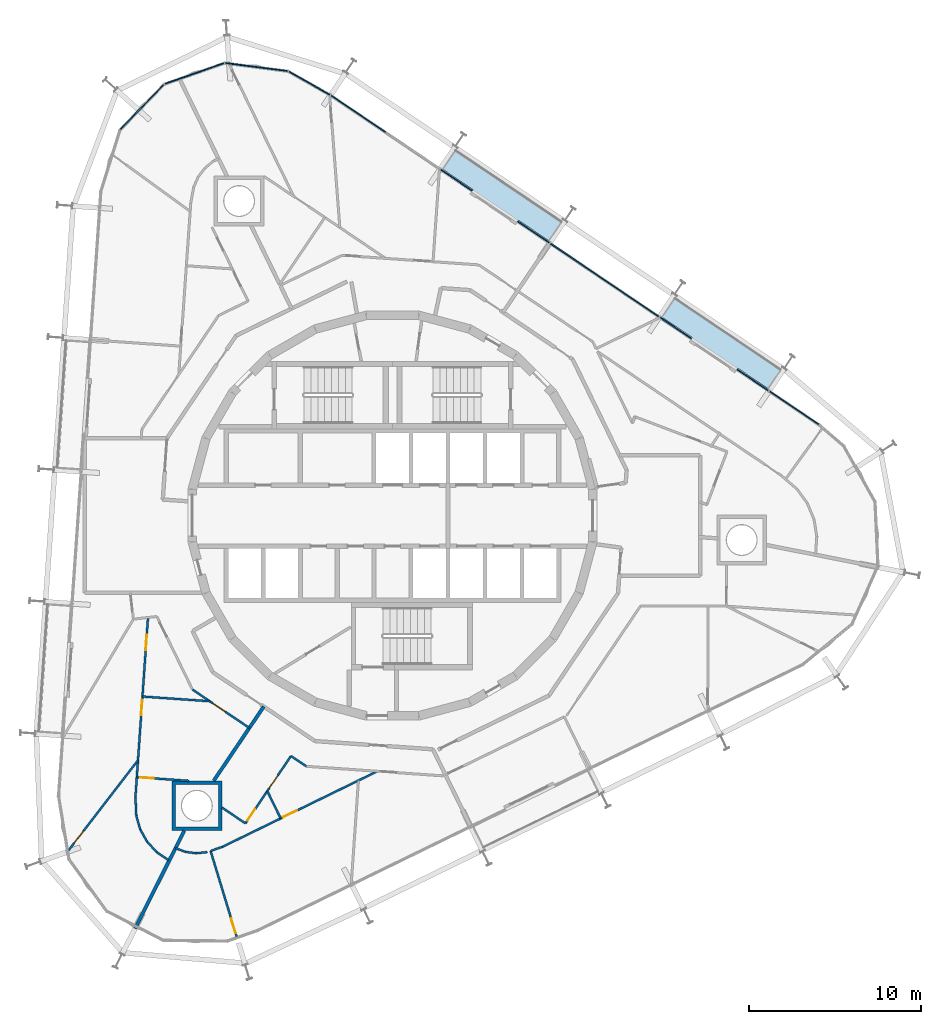
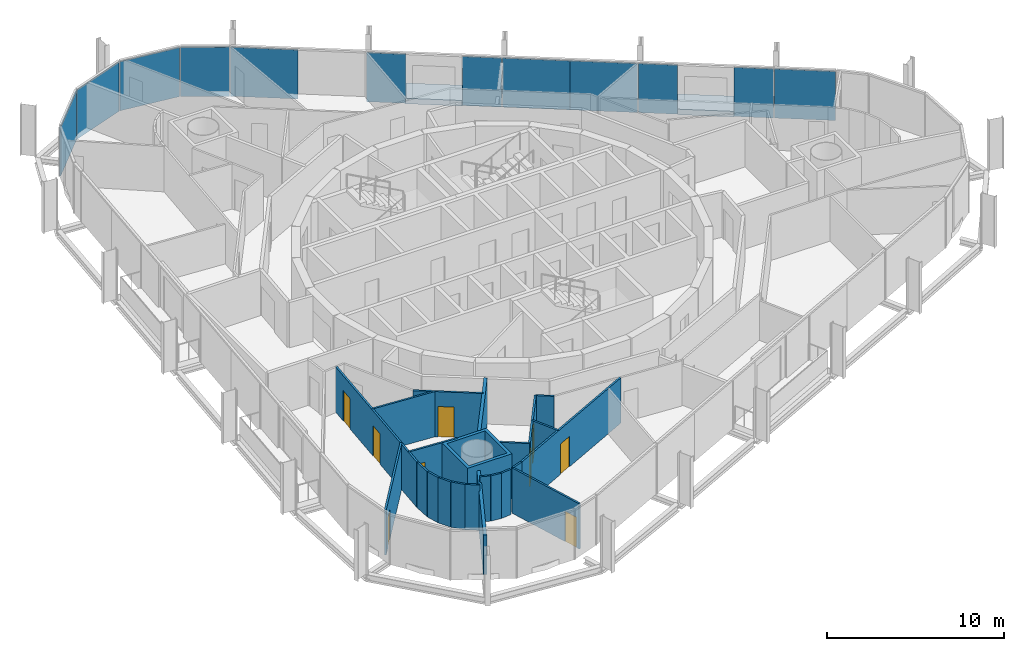
# One storey, part 11 of 17: 23 walls, 12 plates, 9 doors, 2 slabs, 9 openings, 3 elements without a shape of their own.
"""IFC4 building model written with IfcOpenShell, lengths in metres."""

import ifcopenshell
import ifcopenshell.guid

model = None  # the IFC model being written
_history = None  # IfcOwnerHistory: only IFC2X3 demands one
_inside = {}  # id of a spatial element -> (the spatial element, [elements in it])
_under = {}  # id of a project, library or spatial element -> (it, [spatial elements below it])
_declared = {}  # id of a project -> (the project, [libraries it declares])
_typed = {}  # id of a type object -> (the type object, [elements of that type])
_made_of = {}  # id of a material, layer set ... -> (it, [elements and type objects made of it])


def new_model(schema):
    """Start an empty IFC model of exactly this schema.

    Asked for "IFC4X3", IfcOpenShell would pick the latest addendum, in which some entities
    have other attributes; the version numbers below select the first issue.
    IFC2X3 requires an IfcOwnerHistory on every rooted entity: one is made here for all.
    """
    global model, _history
    if schema == "IFC4X3":
        model = ifcopenshell.file(schema_version=(4, 3, 0, 0))
    else:
        model = ifcopenshell.file(schema=schema)
    _inside.clear()
    _under.clear()
    _declared.clear()
    _typed.clear()
    _made_of.clear()
    _history = None
    if model.schema == "IFC2X3":
        org = make("IfcOrganization", Name="unknown")
        user = make(
            "IfcPersonAndOrganization",
            ThePerson=make("IfcPerson", FamilyName="unknown"),
            TheOrganization=org,
        )
        app = make(
            "IfcApplication",
            ApplicationDeveloper=org,
            Version="unknown",
            ApplicationFullName="unknown",
            ApplicationIdentifier="unknown",
        )
        _history = make(
            "IfcOwnerHistory",
            OwningUser=user,
            OwningApplication=app,
            ChangeAction="ADDED",
            CreationDate=0,
        )
    return model


def make(cls, **values):
    """One entity of the class cls with the attributes given. An attribute that is None is left unset."""
    return model.create_entity(
        cls, **{name: value for name, value in values.items() if value is not None}
    )


def rooted(cls, **values):
    """An entity with a GlobalId (a new one), such as an element, a storey or a relation."""
    return make(cls, GlobalId=ifcopenshell.guid.new(), OwnerHistory=_history, **values)


def si_unit(unit_type, name, prefix=None):
    """IfcSIUnit, for example si_unit("LENGTHUNIT", "METRE", prefix="MILLI")."""
    return make("IfcSIUnit", UnitType=unit_type, Prefix=prefix, Name=name)


def assignment(units):
    """IfcUnitAssignment: the units of a project."""
    return None if units is None else make("IfcUnitAssignment", Units=units)


def point(xyz):
    """IfcCartesianPoint."""
    return None if xyz is None else make("IfcCartesianPoint", Coordinates=xyz)


def direction(xyz):
    """IfcDirection."""
    return None if xyz is None else make("IfcDirection", DirectionRatios=xyz)


def frame(location, z_axis=None, x_axis=None):
    """IfcAxis2Placement3D, a coordinate frame: its origin and axes. An axis left out is left unset."""
    return make(
        "IfcAxis2Placement3D",
        Location=point(location),
        Axis=direction(z_axis),
        RefDirection=direction(x_axis),
    )


def frame_2d(location, x_axis=None):
    """IfcAxis2Placement2D, a coordinate frame in the plane: its origin and x axis."""
    return make(
        "IfcAxis2Placement2D", Location=point(location), RefDirection=direction(x_axis)
    )


def origin():
    """The frame at (0, 0, 0) with its axes left unset."""
    return frame((0.0, 0.0, 0.0))


def origin_2d():
    """The frame at (0, 0) in the plane with its x axis left unset."""
    return frame_2d((0.0, 0.0))


def place(relative_to, where):
    """IfcLocalPlacement: puts the frame where relative to a parent placement (None: the world)."""
    return make(
        "IfcLocalPlacement", PlacementRelTo=relative_to, RelativePlacement=where
    )


def context(
    kind, dimensions, precision=None, world=None, true_north=None, identifier=None
):
    """IfcGeometricRepresentationContext, for example the 3D "Model" context."""
    return make(
        "IfcGeometricRepresentationContext",
        ContextIdentifier=identifier,
        ContextType=kind,
        CoordinateSpaceDimension=dimensions,
        Precision=precision,
        WorldCoordinateSystem=world,
        TrueNorth=true_north,
    )


def subcontext(parent, identifier, kind, view, scale=None):
    """IfcGeometricRepresentationSubContext, for example "Body" below "Model"."""
    return make(
        "IfcGeometricRepresentationSubContext",
        ContextIdentifier=identifier,
        ContextType=kind,
        ParentContext=parent,
        TargetScale=scale,
        TargetView=view,
    )


def project(units=None, contexts=None):
    """IfcProject with its units and contexts."""
    return rooted(
        "IfcProject",
        Name="project",
        RepresentationContexts=contexts,
        UnitsInContext=assignment(units),
    )


def spatial(cls, under=None, at=None, **own):
    """A site, building, storey or space (cls), placed at a placement, below another one or the project."""
    s = rooted(cls, ObjectPlacement=at, **own)
    if under is not None:
        _under.setdefault(under.id(), (under, []))[1].append(s)
    return s


def polyline(points):
    """IfcPolyline through the points."""
    return make("IfcPolyline", Points=[point(p) for p in points])


def profile(cls, at=None, kind="AREA", **sizes):
    """A parametric profile (cls). Its sizes go by their IFC names, for example OverallWidth=200.0."""
    return make(cls, ProfileType=kind, Position=at, **sizes)


def rectangle(**sizes):
    """IfcRectangleProfileDef."""
    return profile("IfcRectangleProfileDef", **sizes)


def outline(outer, holes=None, kind="AREA"):
    """IfcArbitraryClosedProfileDef: a profile drawn as a closed curve; with holes, ...WithVoids."""
    if holes is None:
        return make("IfcArbitraryClosedProfileDef", ProfileType=kind, OuterCurve=outer)
    return make(
        "IfcArbitraryProfileDefWithVoids",
        ProfileType=kind,
        OuterCurve=outer,
        InnerCurves=holes,
    )


def extrude(swept, where, along, depth):
    """IfcExtrudedAreaSolid: the profile swept, set in the frame where, extruded along a direction by depth."""
    return make(
        "IfcExtrudedAreaSolid",
        SweptArea=swept,
        Position=where,
        ExtrudedDirection=direction(along),
        Depth=depth,
    )


def shape(context_of_items, identifier, shape_type, items):
    """IfcShapeRepresentation: the items that make up one representation, for example the "Body"."""
    return make(
        "IfcShapeRepresentation",
        ContextOfItems=context_of_items,
        RepresentationIdentifier=identifier,
        RepresentationType=shape_type,
        Items=items,
    )


def material(Name=None, Category=None):
    """IfcMaterial."""
    return make("IfcMaterial", Name=Name, Category=Category)


def layer(
    of_material, thickness, ventilated=None, Name=None, Category=None, Priority=None
):
    """IfcMaterialLayer: one layer of a wall or slab, of a material (None: an air gap)."""
    return make(
        "IfcMaterialLayer",
        Material=of_material,
        LayerThickness=thickness,
        IsVentilated=ventilated,
        Name=Name,
        Category=Category,
        Priority=Priority,
    )


def layer_set(layers, Name=None):
    """IfcMaterialLayerSet."""
    return make("IfcMaterialLayerSet", MaterialLayers=layers, LayerSetName=Name)


def made_of(thing, what):
    """Note that an element or type object is made of a material, layer set ...; save() writes the relation."""
    if what is not None:
        _made_of.setdefault(what.id(), (what, []))[1].append(thing)
    return thing


def type_object(cls, material=None, **own):
    """A type object (cls), such as IfcWallType, which elements share."""
    return made_of(rooted(cls, **own), material)


def element(
    cls,
    number,
    at=None,
    inside=None,
    cuts=None,
    type_object=None,
    material=None,
    context=None,
    identifier="Body",
    shape_type=None,
    held_by="IfcProductDefinitionShape",
    body=None,
    shapes=None,
    **own,
):
    """One element of the class cls, such as IfcWall. Its Tag is "e" and its number.

    at: its placement. inside: the storey or other place that contains it. cuts: it is an
    opening in that element (IfcRelVoidsElement). A single representation is given by context,
    identifier, shape_type and body (its items); several are given by shapes. held_by: the class
    of the entity that holds the representations. save() writes the other relations.
    """
    e = rooted(cls, Tag="e%d" % number, ObjectPlacement=at, **own)
    if body is not None:
        shapes = [shape(context, identifier, shape_type, body)]
    if shapes is not None:
        e.Representation = make(held_by, Representations=shapes)
    if inside is not None:
        _inside.setdefault(inside.id(), (inside, []))[1].append(e)
    if cuts is not None:
        rooted(
            "IfcRelVoidsElement", RelatingBuildingElement=cuts, RelatedOpeningElement=e
        )
    if type_object is not None:
        _typed.setdefault(type_object.id(), (type_object, []))[1].append(e)
    return made_of(e, material)


def fill(opening, filler):
    """IfcRelFillsElement: the door or window that sits in an opening."""
    return rooted(
        "IfcRelFillsElement",
        RelatingOpeningElement=opening,
        RelatedBuildingElement=filler,
    )


def aggregate(whole, parts):
    """IfcRelAggregates: a whole, such as a stair, and the parts it consists of."""
    return rooted("IfcRelAggregates", RelatingObject=whole, RelatedObjects=parts)


def save(model, path):
    """Write the relations noted so far, then the file.

    IfcRelAggregates (storeys below a building ...), IfcRelContainedInSpatialStructure (elements
    in a storey), IfcRelDefinesByType, IfcRelAssociatesMaterial and IfcRelDeclares: one each for
    every whole, place, type object, material and project.
    """
    for whole, parts in _under.values():
        aggregate(whole, parts)
    for where, things in _inside.values():
        rooted(
            "IfcRelContainedInSpatialStructure",
            RelatedElements=things,
            RelatingStructure=where,
        )
    for kind, things in _typed.values():
        rooted("IfcRelDefinesByType", RelatedObjects=things, RelatingType=kind)
    for what, things in _made_of.values():
        rooted("IfcRelAssociatesMaterial", RelatedObjects=things, RelatingMaterial=what)
    for by, libraries in _declared.values():
        rooted("IfcRelDeclares", RelatingContext=by, RelatedDefinitions=libraries)
    model.write(path)


model = new_model("IFC4")

# Units and contexts
model_context = context("Model", 3, precision=1e-05, world=origin(), true_north=direction((0.0, 1.0)))
body_context = subcontext(model_context, "Body", "Model", "MODEL_VIEW")
ifc_project = project(units=[si_unit("LENGTHUNIT", "METRE"), si_unit("AREAUNIT", "SQUARE_METRE"), si_unit("VOLUMEUNIT", "CUBIC_METRE"), si_unit("PLANEANGLEUNIT", "RADIAN"), si_unit("MASSUNIT", "GRAM", prefix="KILO")], contexts=[model_context])

# Site, building, storey
site_placement = place(None, origin())
site = spatial("IfcSite", under=ifc_project, at=site_placement, CompositionType="ELEMENT")
building_placement = place(site_placement, origin())
building = spatial("IfcBuilding", under=site, at=building_placement, Name="Spindle Arch Residences", CompositionType="ELEMENT")
storey_placement = place(building_placement, frame((0.0, 0.0, 191.89990234375)))
storey = spatial("IfcBuildingStorey", under=building, at=storey_placement, Name="L48", CompositionType="ELEMENT", Elevation=191.89990234375)

# Slabs
ifc_material_1 = material(Name="Concrete C40/50", Category="concrete")
ifc_layer_1 = layer(ifc_material_1, 0.3798828125)
ifc_layer_set_1 = layer_set([ifc_layer_1], Name="Balcony slab 380")
slab_type = type_object("IfcSlabType", Name="Balcony slab 380", PredefinedType="FLOOR", material=ifc_layer_set_1)
slab_1_placement = place(storey_placement, frame((0.0, 0.0, -0.3798828125)))
element("IfcSlab", 1, at=slab_1_placement, inside=storey, type_object=slab_type, Name="Balcony L48 bay 6", PredefinedType="FLOOR", context=body_context, shape_type="SweptSolid", body=[
    extrude(outline(polyline([(22.720703125, 8.594970703125), (22.658447265625, 8.63671875), (22.57470703125, 8.512451171875), (16.445068359375, 12.64697265625), (16.52880859375, 12.771240234375), (16.466796875, 12.813232421875), (15.633544921875, 11.578125), (17.43408203125, 10.363525390625), (17.344482421875, 10.23095703125), (19.99755859375, 8.44140625), (20.0869140625, 8.57421875), (21.887451171875, 7.359619140625), (22.720703125, 8.594970703125)])), origin(), (0.0, 0.0, 1.0), 0.3798828125),
])
slab_2_placement = place(storey_placement, frame((0.0, 0.0, -0.3798828125)))
element("IfcSlab", 2, at=slab_2_placement, inside=storey, type_object=slab_type, Name="Balcony L48 bay 8", PredefinedType="FLOOR", context=body_context, shape_type="SweptSolid", body=[
    extrude(outline(polyline([(9.9638671875, 17.199462890625), (9.90185546875, 17.241455078125), (9.81787109375, 17.116943359375), (3.688232421875, 21.25146484375), (3.772216796875, 21.3759765625), (3.7099609375, 21.417724609375), (2.876708984375, 20.1826171875), (4.67724609375, 18.968017578125), (4.587890625, 18.83544921875), (7.24072265625, 17.0458984375), (7.330322265625, 17.1787109375), (9.130859375, 15.964111328125), (9.9638671875, 17.199462890625)])), origin(), (0.0, 0.0, 1.0), 0.3798828125),
])

# Curtain wall, plate
ifc_material_2 = material(Name="Aluminium bronze unitised frame with tinted glass", Category="aluminium")
ifc_layer_2 = layer(ifc_material_2, 0.159912109375)
ifc_layer_set_2 = layer_set([ifc_layer_2], Name="CW-D corner wall on the fillet arcs")
curtain_wall_type_1 = type_object("IfcCurtainWallType", Name="CW-D corner wall on the fillet arcs", PredefinedType="NOTDEFINED", material=ifc_layer_set_2)
curtain_wall_1_placement = place(storey_placement, origin())
curtain_wall_1 = element("IfcCurtainWall", 3, at=curtain_wall_1_placement, inside=storey, type_object=curtain_wall_type_1, Name="CW-D L48 run 1", PredefinedType="NOTDEFINED")
ifc_material_3 = material(Name="Tinted double glazing over non-combustible spandrel zone with 0.55 mm stainless steel cavity fire stop (K0)", Category="steel")
ifc_layer_3 = layer(ifc_material_3, 0.070068359375)
ifc_layer_set_3 = layer_set([ifc_layer_3], Name="Unitised glass panel with spandrel zone and stainless cavity fire stop")
plate_type = type_object("IfcPlateType", Name="Unitised glass panel with spandrel zone and stainless cavity fire stop", PredefinedType="CURTAIN_PANEL", material=ifc_layer_set_3)
plate_1_placement = place(storey_placement, frame((23.36767578125, 6.264892578125, -0.3798828125), z_axis=(0.0, 0.0, 1.0), x_axis=(-0.829037572555, 0.559192903471, 0.0)))
plate_1 = element("IfcPlate", 4, at=plate_1_placement, type_object=plate_type, Name="CW-D unit 06", PredefinedType="CURTAIN_PANEL", context=body_context, shape_type="SweptSolid", body=[
    extrude(rectangle(XDim=3.468505859375, YDim=0.070068359375, at=origin_2d()), origin(), (0.0, 0.0, 1.0), 3.3798828125),
])
aggregate(curtain_wall_1, [plate_1])

# Curtain wall, plates
ifc_material_4 = material(Name="Aluminium bronze unitised frame with tinted glass", Category="aluminium")
ifc_layer_4 = layer(ifc_material_4, 0.159912109375)
ifc_layer_set_4 = layer_set([ifc_layer_4], Name="CW-C typical residential unitised wall")
curtain_wall_type_2 = type_object("IfcCurtainWallType", Name="CW-C typical residential unitised wall", PredefinedType="NOTDEFINED", material=ifc_layer_set_4)
curtain_wall_2_placement = place(storey_placement, origin())
curtain_wall_2 = element("IfcCurtainWall", 5, at=curtain_wall_2_placement, inside=storey, type_object=curtain_wall_type_2, Name="CW-C L48 run 2", PredefinedType="NOTDEFINED")
plate_2_placement = place(storey_placement, frame((20.961181640625, 7.887939453125, -0.3798828125), z_axis=(0.0, 0.0, 1.0), x_axis=(-0.829037572555, 0.559192903471, 0.0)))
plate_2 = element("IfcPlate", 6, at=plate_2_placement, type_object=plate_type, Name="CW-C unit 05L", PredefinedType="CURTAIN_PANEL", context=body_context, shape_type="SweptSolid", body=[
    extrude(rectangle(XDim=2.216796875, YDim=0.070068359375, at=origin_2d()), origin(), (0.0, 0.0, 1.0), 3.3798828125),
])
plate_3_placement = place(storey_placement, frame((16.470458984375, 10.9169921875, -0.3798828125), z_axis=(0.0, 0.0, 1.0), x_axis=(-0.829037572555, 0.559192903471, 0.0)))
plate_3 = element("IfcPlate", 7, at=plate_3_placement, type_object=plate_type, Name="CW-C unit 05R", PredefinedType="CURTAIN_PANEL", context=body_context, shape_type="SweptSolid", body=[
    extrude(rectangle(XDim=2.216796875, YDim=0.070068359375, at=origin_2d()), origin(), (0.0, 0.0, 1.0), 3.3798828125),
])
plate_4_placement = place(storey_placement, frame((13.919677734375, 12.6376953125, -0.3798828125), z_axis=(0.0, 0.0, 1.0), x_axis=(-0.829037572555, 0.559192903471, 0.0)))
plate_4 = element("IfcPlate", 8, at=plate_4_placement, type_object=plate_type, Name="CW-C unit 06A", PredefinedType="CURTAIN_PANEL", context=body_context, shape_type="SweptSolid", body=[
    extrude(rectangle(XDim=3.81689453125, YDim=0.070068359375, at=origin_2d()), origin(), (0.0, 0.0, 1.0), 3.3798828125),
])
plate_5_placement = place(storey_placement, frame((10.75537109375, 14.77197265625, -0.3798828125), z_axis=(0.0, 0.0, 1.0), x_axis=(-0.829037572555, 0.559192903471, 0.0)))
plate_5 = element("IfcPlate", 9, at=plate_5_placement, type_object=plate_type, Name="CW-C unit 06B", PredefinedType="CURTAIN_PANEL", context=body_context, shape_type="SweptSolid", body=[
    extrude(rectangle(XDim=3.81689453125, YDim=0.070068359375, at=origin_2d()), origin(), (0.0, 0.0, 1.0), 3.3798828125),
])
plate_6_placement = place(storey_placement, frame((8.204345703125, 16.492431640625, -0.3798828125), z_axis=(0.0, 0.0, 1.0), x_axis=(-0.829037572555, 0.559192903471, 0.0)))
plate_6 = element("IfcPlate", 10, at=plate_6_placement, type_object=plate_type, Name="CW-C unit 07L", PredefinedType="CURTAIN_PANEL", context=body_context, shape_type="SweptSolid", body=[
    extrude(rectangle(XDim=2.216796875, YDim=0.070068359375, at=origin_2d()), origin(), (0.0, 0.0, 1.0), 3.3798828125),
])
plate_7_placement = place(storey_placement, frame((3.713623046875, 19.521484375, -0.3798828125), z_axis=(0.0, 0.0, 1.0), x_axis=(-0.829037572555, 0.559192903471, 0.0)))
plate_7 = element("IfcPlate", 11, at=plate_7_placement, type_object=plate_type, Name="CW-C unit 07R", PredefinedType="CURTAIN_PANEL", context=body_context, shape_type="SweptSolid", body=[
    extrude(rectangle(XDim=2.216796875, YDim=0.070068359375, at=origin_2d()), origin(), (0.0, 0.0, 1.0), 3.3798828125),
])
plate_8_placement = place(storey_placement, frame((-2.00146484375, 23.37646484375, -0.3798828125), z_axis=(0.0, 0.0, 1.0), x_axis=(-0.829037572555, 0.559192903471, 0.0)))
plate_8 = element("IfcPlate", 12, at=plate_8_placement, type_object=plate_type, Name="CW-C unit 08B", PredefinedType="CURTAIN_PANEL", context=body_context, shape_type="SweptSolid", body=[
    extrude(rectangle(XDim=3.81689453125, YDim=0.070068359375, at=origin_2d()), origin(), (0.0, 0.0, 1.0), 3.3798828125),
])
aggregate(curtain_wall_2, [plate_2, plate_3, plate_4, plate_5, plate_6, plate_7, plate_8])

curtain_wall_3_placement = place(storey_placement, origin())
curtain_wall_3 = element("IfcCurtainWall", 13, at=curtain_wall_3_placement, inside=storey, type_object=curtain_wall_type_1, Name="CW-D L48 run 3", PredefinedType="NOTDEFINED")
plate_9_placement = place(storey_placement, frame((-4.84130859375, 25.16064453125, -0.3798828125), z_axis=(0.0, 0.0, 1.0), x_axis=(-0.86953871595, 0.493864780547, 0.0)))
plate_9 = element("IfcPlate", 14, at=plate_9_placement, type_object=plate_type, Name="CW-D unit 00", PredefinedType="CURTAIN_PANEL", context=body_context, shape_type="SweptSolid", body=[
    extrude(rectangle(XDim=2.775634765625, YDim=0.070068359375, at=origin_2d()), origin(), (0.0, 0.0, 1.0), 3.3798828125),
])
plate_10_placement = place(storey_placement, frame((-7.92236328125, 26.0986328125, -0.3798828125), z_axis=(0.0, 0.0, 1.0), x_axis=(-0.991820351023, 0.127641651888, 0.0)))
plate_10 = element("IfcPlate", 15, at=plate_10_placement, type_object=plate_type, Name="CW-D unit 01", PredefinedType="CURTAIN_PANEL", context=body_context, shape_type="SweptSolid", body=[
    extrude(rectangle(XDim=3.666748046875, YDim=0.070068359375, at=origin_2d()), origin(), (0.0, 0.0, 1.0), 3.3798828125),
])
plate_11_placement = place(storey_placement, frame((-11.52880859375, 25.7197265625, -0.3798828125), z_axis=(0.0, 0.0, 1.0), x_axis=(-0.943608508302, -0.331063412445, 0.0)))
plate_11 = element("IfcPlate", 16, at=plate_11_placement, type_object=plate_type, Name="CW-D unit 02", PredefinedType="CURTAIN_PANEL", context=body_context, shape_type="SweptSolid", body=[
    extrude(rectangle(XDim=3.666748046875, YDim=0.070068359375, at=origin_2d()), origin(), (0.0, 0.0, 1.0), 3.3798828125),
])
plate_12_placement = place(storey_placement, frame((-14.58154296875, 23.762451171875, -0.3798828125), z_axis=(0.0, 0.0, 1.0), x_axis=(-0.694658368802, -0.719339801939, 0.0)))
plate_12 = element("IfcPlate", 17, at=plate_12_placement, type_object=plate_type, Name="CW-D unit 03", PredefinedType="CURTAIN_PANEL", context=body_context, shape_type="SweptSolid", body=[
    extrude(rectangle(XDim=3.666748046875, YDim=0.070068359375, at=origin_2d()), origin(), (0.0, 0.0, 1.0), 3.3798828125),
])
aggregate(curtain_wall_3, [plate_9, plate_10, plate_11, plate_12])

# Wall, opening, door
ifc_material_5 = material(Name="Plasterboard on steel studs", Category="steel")
ifc_layer_5 = layer(ifc_material_5, 0.1201171875)
ifc_layer_set_5 = layer_set([ifc_layer_5], Name="Flat partition 120")
wall_type_1 = type_object("IfcWallType", Name="Flat partition 120", PredefinedType="PARTITIONING", material=ifc_layer_set_5)
wall_1_placement = place(storey_placement, frame((-11.641845703125, -10.1201171875, 0.0), z_axis=(0.0, 0.0, 1.0), x_axis=(0.829018066952, -0.559221820629, 0.0)))
wall_1 = element("IfcWall", 18, at=wall_1_placement, inside=storey, type_object=wall_type_1, Name="Flat partition R5A1-W075", PredefinedType="PARTITIONING", context=body_context, shape_type="SweptSolid", body=[
    extrude(rectangle(XDim=3.992431640625, YDim=0.1201171875, at=frame_2d((1.99609375, 0.0))), origin(), (0.0, 0.0, 1.0), 3.1201171875),
])
opening_1_placement = place(wall_1_placement, frame((1.4169921875, 0.0, 0.0)))
opening_1 = element("IfcOpeningElement", 19, at=opening_1_placement, cuts=wall_1, Name="Opening R5A1-ID16", PredefinedType="OPENING", context=body_context, shape_type="SweptSolid", body=[
    extrude(rectangle(XDim=0.89990234375, YDim=2.10009765625, at=frame_2d((0.449951171875, 1.050048828125))), frame((0.0, 0.070068359375, 0.0), z_axis=(0.0, -1.0, 0.0), x_axis=(1.0, 0.0, 0.0)), (0.0, 0.0, 1.0), 0.14013671875),
])
ifc_material_6 = material(Name="Timber door set", Category="wood")
door_type_1 = type_object("IfcDoorType", Name="Room door 900x2100", OperationType="NOTDEFINED", PredefinedType="DOOR", material=ifc_material_6)
door_1_placement = place(opening_1_placement, origin())
door_1 = element("IfcDoor", 20, at=door_1_placement, inside=storey, type_object=door_type_1, Name="Room door R5A1-ID16", OperationType="SINGLE_SWING_RIGHT", OverallHeight=2.10009765625, OverallWidth=0.89990234375, PredefinedType="DOOR", context=body_context, shape_type="SweptSolid", body=[
    extrude(rectangle(XDim=0.89990234375, YDim=2.10009765625, at=frame_2d((0.449951171875, 1.050048828125))), frame((0.0, 0.02490234375, 0.0), z_axis=(0.0, -1.0, 0.0), x_axis=(1.0, 0.0, 0.0)), (0.0, 0.0, 1.0), 0.050048828125),
])
fill(opening_1, door_1)

# Wall, openings, doors
wall_2_placement = place(storey_placement, frame((-14.22900390625, -5.9287109375, 0.0), z_axis=(0.0, 0.0, 1.0), x_axis=(-0.069740723375, -0.997565151508, 0.0)))
wall_2 = element("IfcWall", 21, at=wall_2_placement, inside=storey, type_object=wall_type_1, Name="Flat partition R5A1-W077", PredefinedType="PARTITIONING", context=body_context, shape_type="SweptSolid", body=[
    extrude(rectangle(XDim=10.470458984375, YDim=0.1201171875, at=frame_2d((5.2353515625, 0.0))), origin(), (0.0, 0.0, 1.0), 3.1201171875),
])
opening_2_placement = place(wall_2_placement, frame((4.809326171875, 0.0, 0.0)))
opening_2 = element("IfcOpeningElement", 22, at=opening_2_placement, cuts=wall_2, Name="Opening R5A1-ID17", PredefinedType="OPENING", context=body_context, shape_type="SweptSolid", body=[
    extrude(rectangle(XDim=0.89990234375, YDim=2.10009765625, at=frame_2d((0.449951171875, 1.050048828125))), frame((0.0, 0.070068359375, 0.0), z_axis=(0.0, -1.0, 0.0), x_axis=(1.0, 0.0, 0.0)), (0.0, 0.0, 1.0), 0.14013671875),
])
opening_3_placement = place(wall_2_placement, frame((1.0, 0.0, 0.0)))
opening_3 = element("IfcOpeningElement", 23, at=opening_3_placement, cuts=wall_2, Name="Opening R5A1-ID19", PredefinedType="OPENING", context=body_context, shape_type="SweptSolid", body=[
    extrude(rectangle(XDim=0.89990234375, YDim=2.10009765625, at=frame_2d((0.449951171875, 1.050048828125))), frame((0.0, 0.070068359375, 0.0), z_axis=(0.0, -1.0, 0.0), x_axis=(1.0, 0.0, 0.0)), (0.0, 0.0, 1.0), 0.14013671875),
])
door_2_placement = place(opening_2_placement, origin())
door_2 = element("IfcDoor", 24, at=door_2_placement, inside=storey, type_object=door_type_1, Name="Room door R5A1-ID17", OperationType="SINGLE_SWING_RIGHT", OverallHeight=2.10009765625, OverallWidth=0.89990234375, PredefinedType="DOOR", context=body_context, shape_type="SweptSolid", body=[
    extrude(rectangle(XDim=0.89990234375, YDim=2.10009765625, at=frame_2d((0.449951171875, 1.050048828125))), frame((0.0, 0.02490234375, 0.0), z_axis=(0.0, -1.0, 0.0), x_axis=(1.0, 0.0, 0.0)), (0.0, 0.0, 1.0), 0.050048828125),
])
fill(opening_2, door_2)
door_3_placement = place(opening_3_placement, origin())
door_3 = element("IfcDoor", 25, at=door_3_placement, inside=storey, type_object=door_type_1, Name="Room door R5A1-ID19", OperationType="SINGLE_SWING_LEFT", OverallHeight=2.10009765625, OverallWidth=0.89990234375, PredefinedType="DOOR", context=body_context, shape_type="SweptSolid", body=[
    extrude(rectangle(XDim=0.89990234375, YDim=2.10009765625, at=frame_2d((0.449951171875, 1.050048828125))), frame((0.0, 0.02490234375, 0.0), z_axis=(0.0, -1.0, 0.0), x_axis=(1.0, 0.0, 0.0)), (0.0, 0.0, 1.0), 0.050048828125),
])
fill(opening_3, door_3)

# Wall
wall_3_placement = place(storey_placement, frame((-14.550537109375, -10.526611328125, 0.0), z_axis=(0.0, 0.0, 1.0), x_axis=(0.997564247633, -0.069753651118, 0.0)))
element("IfcWall", 26, at=wall_3_placement, inside=storey, type_object=wall_type_1, Name="Flat partition R5A1-W078", PredefinedType="PARTITIONING", context=body_context, shape_type="SweptSolid", body=[
    extrude(rectangle(XDim=3.927001953125, YDim=0.1201171875, at=frame_2d((1.96337890625, 0.0))), origin(), (0.0, 0.0, 1.0), 3.1201171875),
])

# Wall, opening, door
wall_4_placement = place(storey_placement, frame((-18.892333984375, -19.530517578125, 0.0), z_axis=(0.0, 0.0, 1.0), x_axis=(0.610326128317, 0.792150249065, 0.0)))
wall_4 = element("IfcWall", 27, at=wall_4_placement, inside=storey, type_object=wall_type_1, Name="Flat partition R5A1-W079", PredefinedType="PARTITIONING", context=body_context, shape_type="SweptSolid", body=[
    extrude(rectangle(XDim=6.689453125, YDim=0.1201171875, at=frame_2d((3.3447265625, 0.0))), origin(), (0.0, 0.0, 1.0), 3.1201171875),
])
opening_4_placement = place(wall_4_placement, frame((0.60009765625, 0.0, 0.0)))
opening_4 = element("IfcOpeningElement", 28, at=opening_4_placement, cuts=wall_4, Name="Opening R5A1-ID18", PredefinedType="OPENING", context=body_context, shape_type="SweptSolid", body=[
    extrude(rectangle(XDim=0.89990234375, YDim=2.10009765625, at=frame_2d((0.449951171875, 1.050048828125))), frame((0.0, 0.070068359375, 0.0), z_axis=(0.0, -1.0, 0.0), x_axis=(1.0, 0.0, 0.0)), (0.0, 0.0, 1.0), 0.14013671875),
])
door_4_placement = place(opening_4_placement, origin())
door_4 = element("IfcDoor", 29, at=door_4_placement, inside=storey, type_object=door_type_1, Name="Room door R5A1-ID18", OperationType="SINGLE_SWING_RIGHT", OverallHeight=2.10009765625, OverallWidth=0.89990234375, PredefinedType="DOOR", context=body_context, shape_type="SweptSolid", body=[
    extrude(rectangle(XDim=0.89990234375, YDim=2.10009765625, at=frame_2d((0.449951171875, 1.050048828125))), frame((0.0, 0.02490234375, 0.0), z_axis=(0.0, -1.0, 0.0), x_axis=(1.0, 0.0, 0.0)), (0.0, 0.0, 1.0), 0.050048828125),
])
fill(opening_4, door_4)

wall_5_placement = place(storey_placement, frame((-14.878662109375, -15.218505859375, 0.0), z_axis=(0.0, 0.0, 1.0), x_axis=(0.997566012813, -0.069728402248, 0.0)))
wall_5 = element("IfcWall", 30, at=wall_5_placement, inside=storey, type_object=wall_type_1, Name="Flat partition R5A1-W080", PredefinedType="PARTITIONING", context=body_context, shape_type="SweptSolid", body=[
    extrude(rectangle(XDim=3.0390625, YDim=0.1201171875, at=frame_2d((1.51953125, 0.0))), origin(), (0.0, 0.0, 1.0), 3.1201171875),
])
opening_5_placement = place(wall_5_placement, frame((0.199951171875, 0.0, 0.0)))
opening_5 = element("IfcOpeningElement", 31, at=opening_5_placement, cuts=wall_5, Name="Opening R5A1-BD04", PredefinedType="OPENING", context=body_context, shape_type="SweptSolid", body=[
    extrude(rectangle(XDim=0.800048828125, YDim=2.10009765625, at=frame_2d((0.39990234375, 1.050048828125))), frame((0.0, 0.070068359375, 0.0), z_axis=(0.0, -1.0, 0.0), x_axis=(1.0, 0.0, 0.0)), (0.0, 0.0, 1.0), 0.14013671875),
])
ifc_material_7 = material(Name="Timber door set", Category="wood")
door_type_2 = type_object("IfcDoorType", Name="Bathroom door 800x2100", OperationType="NOTDEFINED", PredefinedType="DOOR", material=ifc_material_7)
door_5_placement = place(opening_5_placement, origin())
door_5 = element("IfcDoor", 32, at=door_5_placement, inside=storey, type_object=door_type_2, Name="Bathroom door R5A1-BD04", OperationType="SINGLE_SWING_RIGHT", OverallHeight=2.10009765625, OverallWidth=0.800048828125, PredefinedType="DOOR", context=body_context, shape_type="SweptSolid", body=[
    extrude(rectangle(XDim=0.800048828125, YDim=2.10009765625, at=frame_2d((0.39990234375, 1.050048828125))), frame((0.0, 0.02490234375, 0.0), z_axis=(0.0, -1.0, 0.0), x_axis=(1.0, 0.0, 0.0)), (0.0, 0.0, 1.0), 0.050048828125),
])
fill(opening_5, door_5)

# Walls
for number, where, z_axis, x_axis, name in (
    (33, (-13.025390625, -20.052001953125, 0.0), (0.0, 0.0, 1.0), (-0.828910137223, 0.559381787699, 0.0), "Flat partition R5A1-W081"),
    (34, (-13.71240234375, -19.58837890625, 0.0), (0.0, 0.0, 1.0), (-0.677802814739, 0.735243731243, 0.0), "Flat partition R5A1-W082"),
):
    element("IfcWall", number, at=place(storey_placement, frame(where, z_axis=z_axis, x_axis=x_axis)), inside=storey, type_object=wall_type_1, Name=name, PredefinedType="PARTITIONING", context=body_context, shape_type="SweptSolid", body=[
        extrude(rectangle(XDim=0.828857421875, YDim=0.1201171875, at=frame_2d((0.41455078125, 0.0))), origin(), (0.0, 0.0, 1.0), 3.1201171875),
    ])
wall_6_placement = place(storey_placement, frame((-14.274169921875, -18.97900390625, 0.0), z_axis=(0.0, 0.0, 1.0), x_axis=(-0.490037513137, 0.871701345484, 0.0)))
element("IfcWall", 35, at=wall_6_placement, inside=storey, type_object=wall_type_1, Name="Flat partition R5A1-W083", PredefinedType="PARTITIONING", context=body_context, shape_type="SweptSolid", body=[
    extrude(rectangle(XDim=0.8291015625, YDim=0.1201171875, at=frame_2d((0.41455078125, 0.0))), origin(), (0.0, 0.0, 1.0), 3.1201171875),
])
wall_7_placement = place(storey_placement, frame((-14.680419921875, -18.25634765625, 0.0), z_axis=(0.0, 0.0, 1.0), x_axis=(-0.275382358468, 0.961334778651, 0.0)))
element("IfcWall", 36, at=wall_7_placement, inside=storey, type_object=wall_type_1, Name="Flat partition R5A1-W084", PredefinedType="PARTITIONING", context=body_context, shape_type="SweptSolid", body=[
    extrude(rectangle(XDim=0.828857421875, YDim=0.1201171875, at=frame_2d((0.41455078125, 0.0))), origin(), (0.0, 0.0, 1.0), 3.1201171875),
])
wall_8_placement = place(storey_placement, frame((-14.90869140625, -17.45947265625, 0.0), z_axis=(0.0, 0.0, 1.0), x_axis=(-0.046497887649, 0.99891838828, 0.0)))
element("IfcWall", 37, at=wall_8_placement, inside=storey, type_object=wall_type_1, Name="Flat partition R5A1-W085", PredefinedType="PARTITIONING", context=body_context, shape_type="SweptSolid", body=[
    extrude(rectangle(XDim=1.0869140625, YDim=0.1201171875, at=frame_2d((0.54345703125, 0.0))), origin(), (0.0, 0.0, 1.0), 3.1201171875),
])
wall_9_placement = place(storey_placement, frame((-9.93603515625, -16.976318359375, 0.0), z_axis=(0.0, 0.0, 1.0), x_axis=(0.829057888835, -0.559162782167, 0.0)))
element("IfcWall", 38, at=wall_9_placement, inside=storey, type_object=wall_type_1, Name="Flat partition R5A1-W086", PredefinedType="PARTITIONING", context=body_context, shape_type="SweptSolid", body=[
    extrude(rectangle(XDim=1.66357421875, YDim=0.1201171875, at=frame_2d((0.831787109375, 0.0))), origin(), (0.0, 0.0, 1.0), 3.1201171875),
])

# Wall, openings, doors
wall_10_placement = place(storey_placement, frame((-8.556884765625, -17.906494140625, 0.0), z_axis=(0.0, 0.0, 1.0), x_axis=(0.559194471553, 0.829036514868, 0.0)))
wall_10 = element("IfcWall", 39, at=wall_10_placement, inside=storey, type_object=wall_type_1, Name="Flat partition R5A1-W087", PredefinedType="PARTITIONING", context=body_context, shape_type="SweptSolid", body=[
    extrude(rectangle(XDim=4.72998046875, YDim=0.1201171875, at=frame_2d((2.364990234375, 0.0))), origin(), (0.0, 0.0, 1.0), 3.1201171875),
])
opening_6_placement = place(wall_10_placement, frame((0.199951171875, 0.0, 0.0)))
opening_6 = element("IfcOpeningElement", 40, at=opening_6_placement, cuts=wall_10, Name="Opening R5A1-BD05", PredefinedType="OPENING", context=body_context, shape_type="SweptSolid", body=[
    extrude(rectangle(XDim=0.800048828125, YDim=2.10009765625, at=frame_2d((0.39990234375, 1.050048828125))), frame((0.0, 0.070068359375, 0.0), z_axis=(0.0, -1.0, 0.0), x_axis=(1.0, 0.0, 0.0)), (0.0, 0.0, 1.0), 0.14013671875),
])
opening_7_placement = place(wall_10_placement, frame((2.47119140625, 0.0, 0.0)))
opening_7 = element("IfcOpeningElement", 41, at=opening_7_placement, cuts=wall_10, Name="Opening R5A1-ID20", PredefinedType="OPENING", context=body_context, shape_type="SweptSolid", body=[
    extrude(rectangle(XDim=0.89990234375, YDim=2.10009765625, at=frame_2d((0.449951171875, 1.050048828125))), frame((0.0, 0.070068359375, 0.0), z_axis=(0.0, -1.0, 0.0), x_axis=(1.0, 0.0, 0.0)), (0.0, 0.0, 1.0), 0.14013671875),
])
door_6_placement = place(opening_6_placement, origin())
door_6 = element("IfcDoor", 42, at=door_6_placement, inside=storey, type_object=door_type_2, Name="Bathroom door R5A1-BD05", OperationType="SINGLE_SWING_LEFT", OverallHeight=2.10009765625, OverallWidth=0.800048828125, PredefinedType="DOOR", context=body_context, shape_type="SweptSolid", body=[
    extrude(rectangle(XDim=0.800048828125, YDim=2.10009765625, at=frame_2d((0.39990234375, 1.050048828125))), frame((0.0, 0.02490234375, 0.0), z_axis=(0.0, -1.0, 0.0), x_axis=(1.0, 0.0, 0.0)), (0.0, 0.0, 1.0), 0.050048828125),
])
fill(opening_6, door_6)
door_7_placement = place(opening_7_placement, origin())
door_7 = element("IfcDoor", 43, at=door_7_placement, inside=storey, type_object=door_type_1, Name="Room door R5A1-ID20", OperationType="SINGLE_SWING_LEFT", OverallHeight=2.10009765625, OverallWidth=0.89990234375, PredefinedType="DOOR", context=body_context, shape_type="SweptSolid", body=[
    extrude(rectangle(XDim=0.89990234375, YDim=2.10009765625, at=frame_2d((0.449951171875, 1.050048828125))), frame((0.0, 0.02490234375, 0.0), z_axis=(0.0, -1.0, 0.0), x_axis=(1.0, 0.0, 0.0)), (0.0, 0.0, 1.0), 0.050048828125),
])
fill(opening_7, door_7)

# Walls
wall_11_placement = place(storey_placement, frame((-5.911865234375, -13.985107421875, 0.0), z_axis=(0.0, 0.0, 1.0), x_axis=(0.829027978444, -0.559207127062, 0.0)))
element("IfcWall", 44, at=wall_11_placement, inside=storey, type_object=wall_type_1, Name="Flat partition R5A1-W088", PredefinedType="PARTITIONING", context=body_context, shape_type="SweptSolid", body=[
    extrude(rectangle(XDim=1.0732421875, YDim=0.1201171875, at=frame_2d((0.53662109375, 0.0))), origin(), (0.0, 0.0, 1.0), 3.1201171875),
])
wall_12_placement = place(storey_placement, frame((-10.77978515625, -19.577880859375, 0.0), z_axis=(0.0, 0.0, 1.0), x_axis=(-0.994515867502, -0.104585798686, 0.0)))
element("IfcWall", 45, at=wall_12_placement, inside=storey, type_object=wall_type_1, Name="Flat partition R5A1-W090", PredefinedType="PARTITIONING", context=body_context, shape_type="SweptSolid", body=[
    extrude(rectangle(XDim=0.641845703125, YDim=0.1201171875, at=frame_2d((0.32080078125, 0.0))), origin(), (0.0, 0.0, 1.0), 3.1201171875),
])
wall_13_placement = place(storey_placement, frame((-11.418212890625, -19.64501953125, 0.0), z_axis=(0.0, 0.0, 1.0), x_axis=(-0.991802759529, 0.127778269633, 0.0)))
element("IfcWall", 46, at=wall_13_placement, inside=storey, type_object=wall_type_1, Name="Flat partition R5A1-W091", PredefinedType="PARTITIONING", context=body_context, shape_type="SweptSolid", body=[
    extrude(rectangle(XDim=0.64208984375, YDim=0.1201171875, at=frame_2d((0.321044921875, 0.0))), origin(), (0.0, 0.0, 1.0), 3.1201171875),
])
wall_14_placement = place(storey_placement, frame((-12.054931640625, -19.56298828125, 0.0), z_axis=(0.0, 0.0, 1.0), x_axis=(-0.935507243946, 0.353307509862, 0.0)))
element("IfcWall", 47, at=wall_14_placement, inside=storey, type_object=wall_type_1, Name="Flat partition R5A1-W092", PredefinedType="PARTITIONING", context=body_context, shape_type="SweptSolid", body=[
    extrude(rectangle(XDim=0.6123046875, YDim=0.1201171875, at=frame_2d((0.30615234375, 0.0))), origin(), (0.0, 0.0, 1.0), 3.1201171875),
])

# Wall, opening, door
wall_15_placement = place(storey_placement, frame((-9.071533203125, -24.4892578125, 0.0), z_axis=(0.0, 0.0, 1.0), x_axis=(-0.291025348593, 0.956715342449, 0.0)))
wall_15 = element("IfcWall", 48, at=wall_15_placement, inside=storey, type_object=wall_type_1, Name="Flat partition R5A1-W093", PredefinedType="PARTITIONING", context=body_context, shape_type="SweptSolid", body=[
    extrude(rectangle(XDim=5.20458984375, YDim=0.1201171875, at=frame_2d((2.602294921875, 0.0))), origin(), (0.0, 0.0, 1.0), 3.1201171875),
])
opening_8_placement = place(wall_15_placement, frame((0.199951171875, 0.0, 0.0)))
opening_8 = element("IfcOpeningElement", 49, at=opening_8_placement, cuts=wall_15, Name="Opening R5A1-ID23", PredefinedType="OPENING", context=body_context, shape_type="SweptSolid", body=[
    extrude(rectangle(XDim=0.89990234375, YDim=2.10009765625, at=frame_2d((0.449951171875, 1.050048828125))), frame((0.0, 0.070068359375, 0.0), z_axis=(0.0, -1.0, 0.0), x_axis=(1.0, 0.0, 0.0)), (0.0, 0.0, 1.0), 0.14013671875),
])
door_8_placement = place(opening_8_placement, origin())
door_8 = element("IfcDoor", 50, at=door_8_placement, inside=storey, type_object=door_type_1, Name="Room door R5A1-ID23", OperationType="SINGLE_SWING_LEFT", OverallHeight=2.10009765625, OverallWidth=0.89990234375, PredefinedType="DOOR", context=body_context, shape_type="SweptSolid", body=[
    extrude(rectangle(XDim=0.89990234375, YDim=2.10009765625, at=frame_2d((0.449951171875, 1.050048828125))), frame((0.0, 0.02490234375, 0.0), z_axis=(0.0, -1.0, 0.0), x_axis=(1.0, 0.0, 0.0)), (0.0, 0.0, 1.0), 0.050048828125),
])
fill(opening_8, door_8)

# Walls
wall_16_placement = place(storey_placement, frame((-6.509521484375, -17.617431640625, 0.0), z_axis=(0.0, 0.0, 1.0), x_axis=(-0.438380229518, 0.898789616299, 0.0)))
element("IfcWall", 51, at=wall_16_placement, inside=storey, type_object=wall_type_1, Name="Flat partition R5A1-W094", PredefinedType="PARTITIONING", context=body_context, shape_type="SweptSolid", body=[
    extrude(rectangle(XDim=1.773193359375, YDim=0.1201171875, at=frame_2d((0.88671875, 0.0))), origin(), (0.0, 0.0, 1.0), 3.1201171875),
])
wall_17_placement = place(storey_placement, frame((-10.586181640625, -19.510009765625, 0.0), z_axis=(0.0, 0.0, 1.0), x_axis=(0.943560277016, 0.3312008509, 0.0)))
element("IfcWall", 52, at=wall_17_placement, inside=storey, type_object=wall_type_1, Name="Flat partition R5A1-W095", PredefinedType="PARTITIONING", context=body_context, shape_type="SweptSolid", body=[
    extrude(rectangle(XDim=0.741455078125, YDim=0.1201171875, at=frame_2d((0.37060546875, 0.0))), origin(), (0.0, 0.0, 1.0), 3.1201171875),
])

# Wall, opening, door
wall_18_placement = place(storey_placement, frame((-9.886474609375, -19.264404296875, 0.0), z_axis=(0.0, 0.0, 1.0), x_axis=(0.898796326112, 0.43836647245, 0.0)))
wall_18 = element("IfcWall", 53, at=wall_18_placement, inside=storey, type_object=wall_type_1, Name="Flat partition R5A1-W096", PredefinedType="PARTITIONING", context=body_context, shape_type="SweptSolid", body=[
    extrude(rectangle(XDim=10.01416015625, YDim=0.1201171875, at=frame_2d((5.007080078125, 0.0))), origin(), (0.0, 0.0, 1.0), 3.1201171875),
])
opening_9_placement = place(wall_18_placement, frame((3.9169921875, 0.0, 0.0)))
opening_9 = element("IfcOpeningElement", 54, at=opening_9_placement, cuts=wall_18, Name="Opening R5A1-ID22", PredefinedType="OPENING", context=body_context, shape_type="SweptSolid", body=[
    extrude(rectangle(XDim=0.89990234375, YDim=2.10009765625, at=frame_2d((0.449951171875, 1.050048828125))), frame((0.0, 0.070068359375, 0.0), z_axis=(0.0, -1.0, 0.0), x_axis=(1.0, 0.0, 0.0)), (0.0, 0.0, 1.0), 0.14013671875),
])
door_9_placement = place(opening_9_placement, origin())
door_9 = element("IfcDoor", 55, at=door_9_placement, inside=storey, type_object=door_type_1, Name="Room door R5A1-ID22", OperationType="SINGLE_SWING_LEFT", OverallHeight=2.10009765625, OverallWidth=0.89990234375, PredefinedType="DOOR", context=body_context, shape_type="SweptSolid", body=[
    extrude(rectangle(XDim=0.89990234375, YDim=2.10009765625, at=frame_2d((0.449951171875, 1.050048828125))), frame((0.0, 0.02490234375, 0.0), z_axis=(0.0, -1.0, 0.0), x_axis=(1.0, 0.0, 0.0)), (0.0, 0.0, 1.0), 0.050048828125),
])
fill(opening_9, door_9)

# Walls
ifc_material_8 = material(Name="Calcium silicate block, plastered")
ifc_layer_6 = layer(ifc_material_8, 0.199951171875)
ifc_layer_set_6 = layer_set([ifc_layer_6], Name="Flat party wall 200")
wall_type_2 = type_object("IfcWallType", Name="Flat party wall 200", PredefinedType="STANDARD", material=ifc_layer_set_6)
wall_19_placement = place(storey_placement, frame((-10.40673828125, -15.430419921875, 0.0), z_axis=(0.0, 0.0, 1.0), x_axis=(0.559038328133, 0.829141813973, 0.0)))
element("IfcWall", 56, at=wall_19_placement, inside=storey, type_object=wall_type_2, Name="Flat party wall R5A1-W033", PredefinedType="STANDARD", context=body_context, shape_type="SweptSolid", body=[
    extrude(rectangle(XDim=5.211669921875, YDim=0.199951171875, at=frame_2d((2.60595703125, 0.0))), origin(), (0.0, 0.0, 1.0), 3.1201171875),
])
ifc_material_9 = material(Name="Calcium silicate block, plastered")
ifc_layer_7 = layer(ifc_material_9, 0.199951171875)
ifc_layer_set_7 = layer_set([ifc_layer_7], Name="Flat party wall 200 under beam 2730")
wall_type_3 = type_object("IfcWallType", Name="Flat party wall 200 under beam 2730", PredefinedType="STANDARD", material=ifc_layer_set_7)
wall_20_placement = place(storey_placement, frame((-14.9794921875, -24.017333984375, 0.0), z_axis=(0.0, 0.0, 1.0), x_axis=(0.449711952388, 0.893173644864, 0.0)))
element("IfcWall", 57, at=wall_20_placement, inside=storey, type_object=wall_type_3, Name="Flat party wall R5A1-W034", PredefinedType="STANDARD", context=body_context, shape_type="SweptSolid", body=[
    extrude(rectangle(XDim=6.366943359375, YDim=0.199951171875, at=frame_2d((3.18359375, 0.0))), origin(), (0.0, 0.0, 1.0), 2.72998046875),
])
ifc_material_10 = material(Name="Calcium silicate block, plastered")
ifc_layer_8 = layer(ifc_material_10, 0.199951171875)
ifc_layer_set_8 = layer_set([ifc_layer_8], Name="Mega-column casing wall 200")
wall_type_4 = type_object("IfcWallType", Name="Mega-column casing wall 200", PredefinedType="STANDARD", material=ifc_layer_set_8)
wall_21_placement = place(storey_placement, origin())
element("IfcWall", 58, at=wall_21_placement, inside=storey, type_object=wall_type_4, Name="Mega-column casing wall R5A1-WC02", PredefinedType="STANDARD", context=body_context, shape_type="SweptSolid", body=[
    extrude(outline(polyline([(-9.93603515625, -15.430419921875), (-9.93603515625, -18.33056640625), (-12.8359375, -18.33056640625), (-12.8359375, -15.430419921875), (-9.93603515625, -15.430419921875)]), holes=[polyline([(-12.635986328125, -18.130615234375), (-10.135986328125, -18.130615234375), (-10.135986328125, -15.630615234375), (-12.635986328125, -15.630615234375), (-12.635986328125, -18.130615234375)])]), origin(), (0.0, 0.0, 1.0), 3.1201171875),
])

save(model, "model.ifc")
